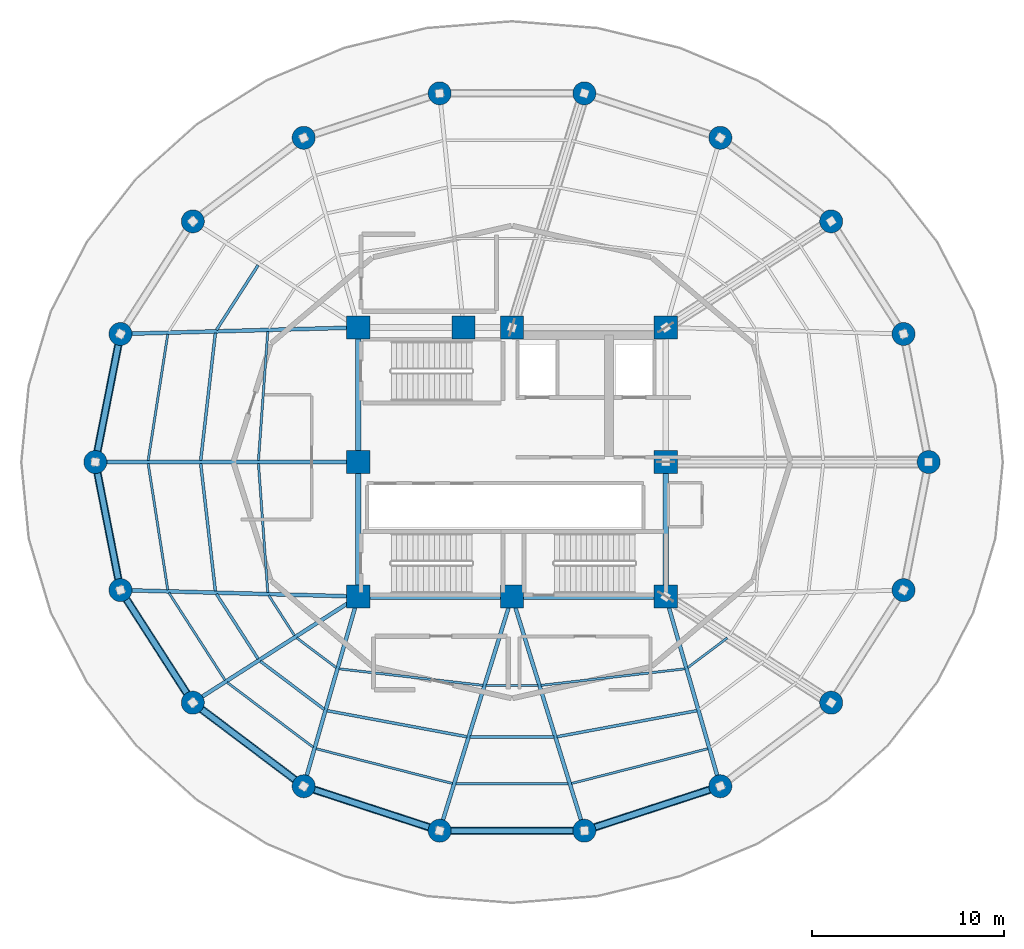
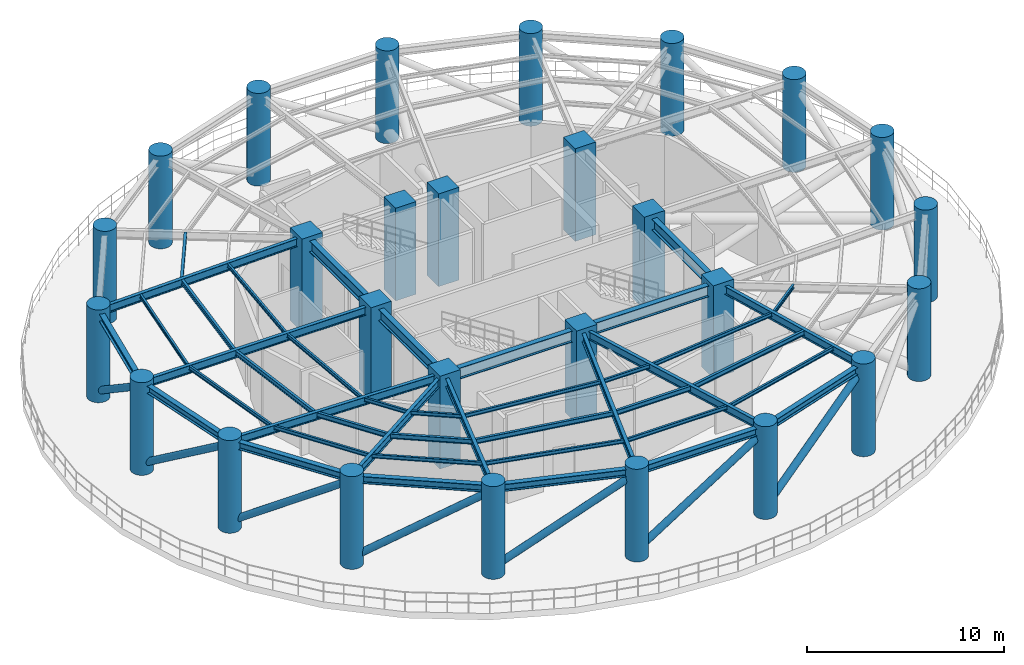
# One storey, part 1 of 7: 43 beams, 27 columns, 7 members.
"""IFC4 building model written with IfcOpenShell, lengths in metres."""

from ifc_helpers import new_model, si_unit, direction, frame, origin, origin_2d, place, context, subcontext, project, spatial, rectangle, circle, hollow_circle, i_section, extrude, material, material_profile, profile_set, type_object, element, save


model = new_model("IFC4")

# Units and contexts
model_context = context("Model", 3, precision=1e-05, world=origin(), true_north=direction((0.0, 1.0)))
body_context = subcontext(model_context, "Body", "Model", "MODEL_VIEW")
ifc_project = project(units=[si_unit("LENGTHUNIT", "METRE"), si_unit("AREAUNIT", "SQUARE_METRE"), si_unit("VOLUMEUNIT", "CUBIC_METRE"), si_unit("PLANEANGLEUNIT", "RADIAN"), si_unit("MASSUNIT", "GRAM", prefix="KILO")], contexts=[model_context])

# Site, building, storey
site_placement = place(None, origin())
site = spatial("IfcSite", under=ifc_project, at=site_placement, CompositionType="ELEMENT")
building_placement = place(site_placement, origin())
building = spatial("IfcBuilding", under=site, at=building_placement, Name="Kelanora Arch Commons", CompositionType="ELEMENT")
storey_placement = place(building_placement, frame((0.0, 0.0, 129.860107421875)))
storey = spatial("IfcBuildingStorey", under=building, at=storey_placement, Name="L33", CompositionType="ELEMENT", Elevation=129.860107421875)

# Columns
ifc_material_1 = material(Name="Concrete C50/60", Category="concrete")
ifc_material_profile_1 = material_profile(ifc_material_1, circle(Radius=0.60009765625, at=origin_2d()), Name="RCC1200")
ifc_profile_set_1 = profile_set([ifc_material_profile_1], Name="Concrete C50/60")
column_type_1 = type_object("IfcColumnType", Name="COL-PERIM-Z3", PredefinedType="COLUMN", material=ifc_profile_set_1)
for number, where, z_axis, x_axis, name in (
    (1, (95.679931640625, 58.0, 0.0), (0.0, 0.0, 1.0), (1.0, 0.0, 0.0), "Perimeter Ring Column CP-00 L33"),
    (2, (94.37255859375, 64.66259765625, 0.0), (0.0, 0.0, 1.0), (1.0, 0.0, 0.0), "Perimeter Ring Column CP-02 L33"),
    (3, (90.60791015625, 70.521484375, 0.0), (0.0, 0.0, 1.0), (1.0, 0.0, 0.0), "Perimeter Ring Column CP-04 L33"),
    (4, (84.840087890625, 74.8701171875, 0.0), (0.0, 0.0, 1.0), (1.0, 0.0, 0.0), "Perimeter Ring Column CP-06 L33"),
    (5, (77.7646484375, 77.18408203125, 0.0), (0.0, 0.0, 1.0), (1.0, 0.0, 0.0), "Perimeter Ring Column CP-08 L33"),
    (6, (70.2353515625, 77.18408203125, 0.0), (0.0, 0.0, 1.0), (1.0, 0.0, 0.0), "Perimeter Ring Column CP-10 L33"),
    (7, (63.159912109375, 74.8701171875, 0.0), (0.0, 0.0, 1.0), (1.0, 0.0, 0.0), "Perimeter Ring Column CP-12 L33"),
    (8, (57.39208984375, 70.521484375, 0.0), (0.0, 0.0, 1.0), (1.0, 0.0, 0.0), "Perimeter Ring Column CP-14 L33"),
    (9, (53.62744140625, 64.66259765625, 0.0), (0.0, 0.0, 1.0), (1.0, 0.0, 0.0), "Perimeter Ring Column CP-16 L33"),
    (10, (52.320068359375, 58.0, 0.0), (0.0, 0.0, 1.0), (1.0, 0.0, 0.0), "Perimeter Ring Column CP-18 L33"),
    (11, (53.62744140625, 51.33740234375, 0.0), (0.0, 0.0, 1.0), (1.0, 0.0, 0.0), "Perimeter Ring Column CP-20 L33"),
    (12, (57.39208984375, 45.478515625, 0.0), (0.0, 0.0, 1.0), (1.0, 0.0, 0.0), "Perimeter Ring Column CP-22 L33"),
    (13, (63.159912109375, 41.1298828125, 0.0), (0.0, 0.0, 1.0), (1.0, 0.0, 0.0), "Perimeter Ring Column CP-24 L33"),
    (14, (70.2353515625, 38.81591796875, 0.0), (0.0, 0.0, 1.0), (1.0, 0.0, 0.0), "Perimeter Ring Column CP-26 L33"),
    (15, (77.7646484375, 38.81591796875, 0.0), (0.0, 0.0, 1.0), (1.0, 0.0, 0.0), "Perimeter Ring Column CP-28 L33"),
    (16, (84.840087890625, 41.1298828125, 0.0), (0.0, 0.0, 1.0), (1.0, 0.0, 0.0), "Perimeter Ring Column CP-30 L33"),
    (17, (90.60791015625, 45.478515625, 0.0), (0.0, 0.0, 1.0), (1.0, 0.0, 0.0), "Perimeter Ring Column CP-32 L33"),
    (18, (94.37255859375, 51.33740234375, 0.0), (0.0, 0.0, 1.0), (1.0, 0.0, 0.0), "Perimeter Ring Column CP-34 L33"),
):
    element("IfcColumn", number, at=place(storey_placement, frame(where, z_axis=z_axis, x_axis=x_axis)), inside=storey, type_object=column_type_1, Name=name, PredefinedType="COLUMN", context=body_context, shape_type="SweptSolid", body=[
        extrude(circle(Radius=0.60009765625, at=origin_2d()), origin(), (0.0, 0.0, 1.0), 5.739990234375),
    ])
ifc_material_2 = material(Name="Concrete C60/75", Category="concrete")
ifc_material_profile_2 = material_profile(ifc_material_2, rectangle(XDim=1.199951171875, YDim=1.199951171875, at=origin_2d()), Name="RC1200x1200")
ifc_profile_set_2 = profile_set([ifc_material_profile_2], Name="Concrete C60/75")
column_type_2 = type_object("IfcColumnType", Name="COL-PIL-MID", PredefinedType="PILASTER", material=ifc_profile_set_2)
for number, where, z_axis, x_axis, name in (
    (19, (66.0, 51.0, 0.0), (0.0, 0.0, 1.0), (1.0, 0.0, 0.0), "Core Pilaster Column CP1 L33"),
    (20, (74.0, 51.0, 0.0), (0.0, 0.0, 1.0), (1.0, 0.0, 0.0), "Core Pilaster Column CP2 L33"),
    (21, (82.0, 51.0, 0.0), (0.0, 0.0, 1.0), (1.0, 0.0, 0.0), "Core Pilaster Column CP3 L33"),
    (22, (82.0, 58.0, 0.0), (0.0, 0.0, 1.0), (1.0, 0.0, 0.0), "Core Pilaster Column CP4 L33"),
    (23, (82.0, 65.0, 0.0), (0.0, 0.0, 1.0), (1.0, 0.0, 0.0), "Core Pilaster Column CP5 L33"),
    (24, (74.0, 65.0, 0.0), (0.0, 0.0, 1.0), (1.0, 0.0, 0.0), "Core Pilaster Column CP6 L33"),
    (25, (71.47998046875, 65.0, 0.0), (0.0, 0.0, 1.0), (1.0, 0.0, 0.0), "Core Pilaster Column CP9 L33"),
    (26, (66.0, 65.0, 0.0), (0.0, 0.0, 1.0), (1.0, 0.0, 0.0), "Core Pilaster Column CP7 L33"),
    (27, (66.0, 58.0, 0.0), (0.0, 0.0, 1.0), (1.0, 0.0, 0.0), "Core Pilaster Column CP8 L33"),
):
    element("IfcColumn", number, at=place(storey_placement, frame(where, z_axis=z_axis, x_axis=x_axis)), inside=storey, type_object=column_type_2, Name=name, PredefinedType="PILASTER", context=body_context, shape_type="SweptSolid", body=[
        extrude(rectangle(XDim=1.199951171875, YDim=1.199951171875, at=origin_2d()), origin(), (0.0, 0.0, 1.0), 5.739990234375),
    ])

# Beams
ifc_material_3 = material(Name="Steel S355", Category="steel")
ifc_material_profile_3 = material_profile(ifc_material_3, i_section(OverallWidth=0.300048828125, OverallDepth=0.699951171875, WebThickness=0.01708984375, FlangeThickness=0.031982421875, FilletRadius=0.027099609375, at=origin_2d()), Name="HEB700")
ifc_profile_set_3 = profile_set([ifc_material_profile_3], Name="Steel S355")
beam_type_1 = type_object("IfcBeamType", Name="BM-CORE-HDR", PredefinedType="BEAM", material=ifc_profile_set_3)
for number, where, z_axis, x_axis, name in (
    (28, (66.0, 51.0, 5.1298828125), (1.0, 0.0, 0.0), (0.0, 1.0, 0.0), "Core Header Beam 01 L33"),
    (29, (74.0, 51.0, 5.1298828125), (1.0, 0.0, 0.0), (0.0, 1.0, 0.0), "Core Header Beam 02 L33"),
):
    element("IfcBeam", number, at=place(storey_placement, frame(where, z_axis=z_axis, x_axis=x_axis)), inside=storey, type_object=beam_type_1, Name=name, PredefinedType="BEAM", context=body_context, shape_type="SweptSolid", body=[
        extrude(i_section(OverallWidth=0.300048828125, OverallDepth=0.699951171875, WebThickness=0.01708984375, FlangeThickness=0.031982421875, FilletRadius=0.027099609375, at=origin_2d()), origin(), (0.0, 0.0, 1.0), 8.0),
    ])
for number, where, z_axis, x_axis, name in (
    (30, (82.0, 51.0, 5.1298828125), (0.0, 1.0, 0.0), (-1.0, 0.0, 0.0), "Core Header Beam 03 L33"),
    (31, (66.0, 65.0, 5.1298828125), (0.0, -1.0, 0.0), (1.0, 0.0, 0.0), "Core Header Beam 08 L33"),
    (32, (66.0, 58.0, 5.1298828125), (0.0, -1.0, 0.0), (1.0, 0.0, 0.0), "Core Header Beam 09 L33"),
):
    element("IfcBeam", number, at=place(storey_placement, frame(where, z_axis=z_axis, x_axis=x_axis)), inside=storey, type_object=beam_type_1, Name=name, PredefinedType="BEAM", context=body_context, shape_type="SweptSolid", body=[
        extrude(i_section(OverallWidth=0.300048828125, OverallDepth=0.699951171875, WebThickness=0.01708984375, FlangeThickness=0.031982421875, FilletRadius=0.027099609375, at=origin_2d()), origin(), (0.0, 0.0, 1.0), 7.0),
    ])
ifc_material_profile_4 = material_profile(ifc_material_3, i_section(OverallWidth=0.14990234375, OverallDepth=0.300048828125, WebThickness=0.007080078125, FlangeThickness=0.0107421875, FilletRadius=0.014892578125, at=origin_2d()), Name="IPE300")
ifc_profile_set_4 = profile_set([ifc_material_profile_4], Name="Steel S355")
beam_type_2 = type_object("IfcBeamType", Name="BM-JST-01", PredefinedType="JOIST", material=ifc_profile_set_4)
beam_1_placement = place(storey_placement, frame((60.789306640625, 68.241455078125, 5.329833984375), z_axis=(-0.540594434398, -0.841283339606, 0.0), x_axis=(0.841283339606, -0.540594434398, 0.0)))
element("IfcBeam", 33, at=beam_1_placement, inside=storey, type_object=beam_type_2, Name="Secondary Chord Joist BJB-14 L33", PredefinedType="JOIST", context=body_context, shape_type="SweptSolid", body=[
    extrude(i_section(OverallWidth=0.14990234375, OverallDepth=0.300048828125, WebThickness=0.007080078125, FlangeThickness=0.0107421875, FilletRadius=0.014892578125, at=origin_2d()), origin(), (0.0, 0.0, 1.0), 4.008544921875),
])
for number, where, z_axis, x_axis, name in (
    (34, (58.56689453125, 64.713134765625, 5.329833984375), (-0.114667159005, -0.9934039675, 0.0), (0.9934039675, -0.114667159005, 0.0), "Secondary Chord Joist BJB-16 L33"),
    (35, (57.8017578125, 57.91552734375, 5.329833984375), (0.114667159005, -0.9934039675, 0.0), (0.9934039675, 0.114667159005, 0.0), "Secondary Chord Joist BJB-18 L33"),
):
    element("IfcBeam", number, at=place(storey_placement, frame(where, z_axis=z_axis, x_axis=x_axis)), inside=storey, type_object=beam_type_2, Name=name, PredefinedType="JOIST", context=body_context, shape_type="SweptSolid", body=[
        extrude(i_section(OverallWidth=0.14990234375, OverallDepth=0.300048828125, WebThickness=0.007080078125, FlangeThickness=0.0107421875, FilletRadius=0.014892578125, at=origin_2d()), origin(), (0.0, 0.0, 1.0), 6.672607421875),
    ])
beam_2_placement = place(storey_placement, frame((58.622314453125, 51.130859375, 5.329833984375), z_axis=(0.540594434398, -0.841283339606, 0.0), x_axis=(0.841283339606, 0.540594434398, 0.0)))
element("IfcBeam", 36, at=beam_2_placement, inside=storey, type_object=beam_type_2, Name="Secondary Chord Joist BJB-20 L33", PredefinedType="JOIST", context=body_context, shape_type="SweptSolid", body=[
    extrude(i_section(OverallWidth=0.14990234375, OverallDepth=0.300048828125, WebThickness=0.007080078125, FlangeThickness=0.0107421875, FilletRadius=0.014892578125, at=origin_2d()), origin(), (0.0, 0.0, 1.0), 4.008544921875),
])
beam_3_placement = place(storey_placement, frame((60.9033203125, 47.635986328125, 5.329833984375), z_axis=(0.798463547891, -0.602043156833, 0.0), x_axis=(0.602043156833, 0.798463547891, 0.0)))
element("IfcBeam", 37, at=beam_3_placement, inside=storey, type_object=beam_type_2, Name="Secondary Chord Joist BJB-22 L33", PredefinedType="JOIST", context=body_context, shape_type="SweptSolid", body=[
    extrude(i_section(OverallWidth=0.14990234375, OverallDepth=0.300048828125, WebThickness=0.007080078125, FlangeThickness=0.0107421875, FilletRadius=0.014892578125, at=origin_2d()), origin(), (0.0, 0.0, 1.0), 4.163818359375),
])
beam_4_placement = place(storey_placement, frame((64.379638671875, 45.062255859375, 5.329833984375), z_axis=(0.983054256126, -0.183314837134, 0.0), x_axis=(0.183314837134, 0.983054256126, 0.0)))
element("IfcBeam", 38, at=beam_4_placement, inside=storey, type_object=beam_type_2, Name="Secondary Chord Joist BJB-24 L33", PredefinedType="JOIST", context=body_context, shape_type="SweptSolid", body=[
    extrude(i_section(OverallWidth=0.14990234375, OverallDepth=0.300048828125, WebThickness=0.007080078125, FlangeThickness=0.0107421875, FilletRadius=0.014892578125, at=origin_2d()), origin(), (0.0, 0.0, 1.0), 7.403564453125),
])
beam_5_placement = place(storey_placement, frame((71.826171875, 43.689453125, 5.329833984375), z_axis=(1.0, 0.0, 0.0), x_axis=(0.0, 1.0, 0.0)))
element("IfcBeam", 39, at=beam_5_placement, inside=storey, type_object=beam_type_2, Name="Secondary Chord Joist BJB-26 L33", PredefinedType="JOIST", context=body_context, shape_type="SweptSolid", body=[
    extrude(i_section(OverallWidth=0.14990234375, OverallDepth=0.300048828125, WebThickness=0.007080078125, FlangeThickness=0.0107421875, FilletRadius=0.014892578125, at=origin_2d()), origin(), (0.0, 0.0, 1.0), 4.34765625),
])
beam_6_placement = place(storey_placement, frame((76.34228515625, 43.705078125, 5.329833984375), z_axis=(0.983054256126, 0.183314837134, 0.0), x_axis=(-0.183314837134, 0.983054256126, 0.0)))
element("IfcBeam", 40, at=beam_6_placement, inside=storey, type_object=beam_type_2, Name="Secondary Chord Joist BJB-28 L33", PredefinedType="JOIST", context=body_context, shape_type="SweptSolid", body=[
    extrude(i_section(OverallWidth=0.14990234375, OverallDepth=0.300048828125, WebThickness=0.007080078125, FlangeThickness=0.0107421875, FilletRadius=0.014892578125, at=origin_2d()), origin(), (0.0, 0.0, 1.0), 7.403564453125),
])
ifc_material_profile_5 = material_profile(ifc_material_3, i_section(OverallWidth=0.1201171875, OverallDepth=0.239990234375, WebThickness=0.006103515625, FlangeThickness=0.009765625, FilletRadius=0.014892578125, at=origin_2d()), Name="IPE240")
ifc_profile_set_5 = profile_set([ifc_material_profile_5], Name="Steel S355")
beam_type_3 = type_object("IfcBeamType", Name="BM-JST-02", PredefinedType="JOIST", material=ifc_profile_set_5)
beam_7_placement = place(storey_placement, frame((61.292236328125, 64.787109375, 5.35986328125), z_axis=(-0.072117123738, -0.997396170267, 0.0), x_axis=(0.997396170267, -0.072117123738, 0.0)))
element("IfcBeam", 41, at=beam_7_placement, inside=storey, type_object=beam_type_3, Name="Secondary Chord Joist BJA-16 L33", PredefinedType="JOIST", context=body_context, shape_type="SweptSolid", body=[
    extrude(i_section(OverallWidth=0.1201171875, OverallDepth=0.239990234375, WebThickness=0.006103515625, FlangeThickness=0.009765625, FilletRadius=0.014892578125, at=origin_2d()), origin(), (0.0, 0.0, 1.0), 6.719970703125),
])
beam_8_placement = place(storey_placement, frame((56.0888671875, 64.64599609375, 5.35986328125), z_axis=(-0.153562625853, -0.988138917329, 0.0), x_axis=(0.988138917329, -0.153562625853, 0.0)))
element("IfcBeam", 42, at=beam_8_placement, inside=storey, type_object=beam_type_3, Name="Secondary Chord Joist BJC-16 L33", PredefinedType="JOIST", context=body_context, shape_type="SweptSolid", body=[
    extrude(i_section(OverallWidth=0.1201171875, OverallDepth=0.239990234375, WebThickness=0.006103515625, FlangeThickness=0.009765625, FilletRadius=0.014892578125, at=origin_2d()), origin(), (0.0, 0.0, 1.0), 6.640869140625),
])
beam_9_placement = place(storey_placement, frame((60.8076171875, 57.915283203125, 5.35986328125), z_axis=(0.072117123738, -0.997396170267, 0.0), x_axis=(0.997396170267, 0.072117123738, 0.0)))
element("IfcBeam", 43, at=beam_9_placement, inside=storey, type_object=beam_type_3, Name="Secondary Chord Joist BJA-18 L33", PredefinedType="JOIST", context=body_context, shape_type="SweptSolid", body=[
    extrude(i_section(OverallWidth=0.1201171875, OverallDepth=0.239990234375, WebThickness=0.006103515625, FlangeThickness=0.009765625, FilletRadius=0.014892578125, at=origin_2d()), origin(), (0.0, 0.0, 1.0), 6.719970703125),
])
beam_10_placement = place(storey_placement, frame((55.069091796875, 57.916015625, 5.35986328125), z_axis=(0.153562625853, -0.988138917329, 0.0), x_axis=(0.988138917329, 0.153562625853, 0.0)))
element("IfcBeam", 44, at=beam_10_placement, inside=storey, type_object=beam_type_3, Name="Secondary Chord Joist BJC-18 L33", PredefinedType="JOIST", context=body_context, shape_type="SweptSolid", body=[
    extrude(i_section(OverallWidth=0.1201171875, OverallDepth=0.239990234375, WebThickness=0.006103515625, FlangeThickness=0.009765625, FilletRadius=0.014892578125, at=origin_2d()), origin(), (0.0, 0.0, 1.0), 6.640869140625),
])
beam_11_placement = place(storey_placement, frame((61.344482421875, 51.056640625, 5.35986328125), z_axis=(0.540583174025, -0.841290575224, 0.0), x_axis=(0.841290575224, 0.540583174025, 0.0)))
element("IfcBeam", 45, at=beam_11_placement, inside=storey, type_object=beam_type_3, Name="Secondary Chord Joist BJA-20 L33", PredefinedType="JOIST", context=body_context, shape_type="SweptSolid", body=[
    extrude(i_section(OverallWidth=0.1201171875, OverallDepth=0.239990234375, WebThickness=0.006103515625, FlangeThickness=0.009765625, FilletRadius=0.014892578125, at=origin_2d()), origin(), (0.0, 0.0, 1.0), 2.476318359375),
])
beam_12_placement = place(storey_placement, frame((56.14794921875, 51.198486328125, 5.35986328125), z_axis=(0.540581678156, -0.841291536414, 0.0), x_axis=(0.841291536414, 0.540581678156, 0.0)))
element("IfcBeam", 46, at=beam_12_placement, inside=storey, type_object=beam_type_3, Name="Secondary Chord Joist BJC-20 L33", PredefinedType="JOIST", context=body_context, shape_type="SweptSolid", body=[
    extrude(i_section(OverallWidth=0.1201171875, OverallDepth=0.239990234375, WebThickness=0.006103515625, FlangeThickness=0.009765625, FilletRadius=0.014892578125, at=origin_2d()), origin(), (0.0, 0.0, 1.0), 5.4013671875),
])
beam_13_placement = place(storey_placement, frame((62.796875, 48.8505859375, 5.35986328125), z_axis=(0.798484118859, -0.602015873487, 0.0), x_axis=(0.602015873487, 0.798484118859, 0.0)))
element("IfcBeam", 47, at=beam_13_placement, inside=storey, type_object=beam_type_3, Name="Secondary Chord Joist BJA-22 L33", PredefinedType="JOIST", context=body_context, shape_type="SweptSolid", body=[
    extrude(i_section(OverallWidth=0.1201171875, OverallDepth=0.239990234375, WebThickness=0.006103515625, FlangeThickness=0.009765625, FilletRadius=0.014892578125, at=origin_2d()), origin(), (0.0, 0.0, 1.0), 2.57470703125),
])
beam_14_placement = place(storey_placement, frame((59.181640625, 46.531494140625, 5.35986328125), z_axis=(0.798493128577, -0.602003923256, 0.0), x_axis=(0.602003923256, 0.798493128577, 0.0)))
element("IfcBeam", 48, at=beam_14_placement, inside=storey, type_object=beam_type_3, Name="Secondary Chord Joist BJC-22 L33", PredefinedType="JOIST", context=body_context, shape_type="SweptSolid", body=[
    extrude(i_section(OverallWidth=0.1201171875, OverallDepth=0.239990234375, WebThickness=0.006103515625, FlangeThickness=0.009765625, FilletRadius=0.014892578125, at=origin_2d()), origin(), (0.0, 0.0, 1.0), 5.608642578125),
])
beam_15_placement = place(storey_placement, frame((65.005126953125, 47.239501953125, 5.35986328125), z_axis=(0.993457414184, -0.114203179475, 0.0), x_axis=(0.114203179475, 0.993457414184, 0.0)))
element("IfcBeam", 49, at=beam_15_placement, inside=storey, type_object=beam_type_3, Name="Secondary Chord Joist BJA-24 L33", PredefinedType="JOIST", context=body_context, shape_type="SweptSolid", body=[
    extrude(i_section(OverallWidth=0.1201171875, OverallDepth=0.239990234375, WebThickness=0.006103515625, FlangeThickness=0.009765625, FilletRadius=0.014892578125, at=origin_2d()), origin(), (0.0, 0.0, 1.0), 7.529296875),
])
beam_16_placement = place(storey_placement, frame((63.810302734375, 43.082763671875, 5.35986328125), z_axis=(0.96900232943, -0.247051584815, 0.0), x_axis=(0.247051584815, 0.96900232943, 0.0)))
element("IfcBeam", 50, at=beam_16_placement, inside=storey, type_object=beam_type_3, Name="Secondary Chord Joist BJC-24 L33", PredefinedType="JOIST", context=body_context, shape_type="SweptSolid", body=[
    extrude(i_section(OverallWidth=0.1201171875, OverallDepth=0.239990234375, WebThickness=0.006103515625, FlangeThickness=0.009765625, FilletRadius=0.014892578125, at=origin_2d()), origin(), (0.0, 0.0, 1.0), 7.32275390625),
])
beam_17_placement = place(storey_placement, frame((72.654296875, 46.3701171875, 5.35986328125), z_axis=(1.0, 0.0, 0.0), x_axis=(0.0, 1.0, 0.0)))
element("IfcBeam", 51, at=beam_17_placement, inside=storey, type_object=beam_type_3, Name="Secondary Chord Joist BJA-26 L33", PredefinedType="JOIST", context=body_context, shape_type="SweptSolid", body=[
    extrude(i_section(OverallWidth=0.1201171875, OverallDepth=0.239990234375, WebThickness=0.006103515625, FlangeThickness=0.009765625, FilletRadius=0.014892578125, at=origin_2d()), origin(), (0.0, 0.0, 1.0), 2.69140625),
])
beam_18_placement = place(storey_placement, frame((71.0732421875, 41.252685546875, 5.35986328125), z_axis=(1.0, 0.0, 0.0), x_axis=(0.0, 1.0, 0.0)))
element("IfcBeam", 52, at=beam_18_placement, inside=storey, type_object=beam_type_3, Name="Secondary Chord Joist BJC-26 L33", PredefinedType="JOIST", context=body_context, shape_type="SweptSolid", body=[
    extrude(i_section(OverallWidth=0.1201171875, OverallDepth=0.239990234375, WebThickness=0.006103515625, FlangeThickness=0.009765625, FilletRadius=0.014892578125, at=origin_2d()), origin(), (0.0, 0.0, 1.0), 5.853515625),
])
beam_19_placement = place(storey_placement, frame((75.514892578125, 46.379638671875, 5.35986328125), z_axis=(0.993457414184, 0.114203179475, 0.0), x_axis=(-0.114203179475, 0.993457414184, 0.0)))
element("IfcBeam", 53, at=beam_19_placement, inside=storey, type_object=beam_type_3, Name="Secondary Chord Joist BJA-28 L33", PredefinedType="JOIST", context=body_context, shape_type="SweptSolid", body=[
    extrude(i_section(OverallWidth=0.1201171875, OverallDepth=0.239990234375, WebThickness=0.006103515625, FlangeThickness=0.009765625, FilletRadius=0.014892578125, at=origin_2d()), origin(), (0.0, 0.0, 1.0), 7.529296875),
])
beam_20_placement = place(storey_placement, frame((77.093994140625, 41.273681640625, 5.35986328125), z_axis=(0.96900232943, 0.247051584815, 0.0), x_axis=(-0.247051584815, 0.96900232943, 0.0)))
element("IfcBeam", 54, at=beam_20_placement, inside=storey, type_object=beam_type_3, Name="Secondary Chord Joist BJC-28 L33", PredefinedType="JOIST", context=body_context, shape_type="SweptSolid", body=[
    extrude(i_section(OverallWidth=0.1201171875, OverallDepth=0.239990234375, WebThickness=0.006103515625, FlangeThickness=0.009765625, FilletRadius=0.014892578125, at=origin_2d()), origin(), (0.0, 0.0, 1.0), 7.32275390625),
])
beam_21_placement = place(storey_placement, frame((83.147216796875, 47.300537109375, 5.35986328125), z_axis=(0.798484118859, 0.602015873487, 0.0), x_axis=(-0.602015873487, 0.798484118859, 0.0)))
element("IfcBeam", 55, at=beam_21_placement, inside=storey, type_object=beam_type_3, Name="Secondary Chord Joist BJA-30 L33", PredefinedType="JOIST", context=body_context, shape_type="SweptSolid", body=[
    extrude(i_section(OverallWidth=0.1201171875, OverallDepth=0.239990234375, WebThickness=0.006103515625, FlangeThickness=0.009765625, FilletRadius=0.014892578125, at=origin_2d()), origin(), (0.0, 0.0, 1.0), 2.57470703125),
])
ifc_material_profile_6 = material_profile(ifc_material_3, i_section(OverallWidth=0.199951171875, OverallDepth=0.5, WebThickness=0.01025390625, FlangeThickness=0.01611328125, FilletRadius=0.02099609375, at=origin_2d()), Name="IPE500")
ifc_profile_set_6 = profile_set([ifc_material_profile_6], Name="Steel S355")
beam_type_4 = type_object("IfcBeamType", Name="BM-RAD-Z3", PredefinedType="BEAM", material=ifc_profile_set_6)
beam_22_placement = place(storey_placement, frame((66.0, 65.0, 5.22998046875), z_axis=(-0.999628374924, -0.027260081577, 0.0), x_axis=(0.027260081577, -0.999628374924, 0.0)))
element("IfcBeam", 56, at=beam_22_placement, inside=storey, type_object=beam_type_4, Name="Radial Floor Girder BR-16 L33", PredefinedType="BEAM", context=body_context, shape_type="SweptSolid", body=[
    extrude(i_section(OverallWidth=0.199951171875, OverallDepth=0.5, WebThickness=0.01025390625, FlangeThickness=0.01611328125, FilletRadius=0.02099609375, at=origin_2d()), origin(), (0.0, 0.0, 1.0), 12.377197265625),
])
beam_23_placement = place(storey_placement, frame((66.0, 58.0, 5.22998046875), z_axis=(-1.0, 0.0, 0.0), x_axis=(0.0, -1.0, 0.0)))
element("IfcBeam", 57, at=beam_23_placement, inside=storey, type_object=beam_type_4, Name="Radial Floor Girder BR-18 L33", PredefinedType="BEAM", context=body_context, shape_type="SweptSolid", body=[
    extrude(i_section(OverallWidth=0.199951171875, OverallDepth=0.5, WebThickness=0.01025390625, FlangeThickness=0.01611328125, FilletRadius=0.02099609375, at=origin_2d()), origin(), (0.0, 0.0, 1.0), 13.679931640625),
])
beam_24_placement = place(storey_placement, frame((66.0, 51.0, 5.22998046875), z_axis=(-0.999628374924, 0.027260081577, 0.0), x_axis=(-0.027260081577, -0.999628374924, 0.0)))
element("IfcBeam", 58, at=beam_24_placement, inside=storey, type_object=beam_type_4, Name="Radial Floor Girder BR-20 L33", PredefinedType="BEAM", context=body_context, shape_type="SweptSolid", body=[
    extrude(i_section(OverallWidth=0.199951171875, OverallDepth=0.5, WebThickness=0.01025390625, FlangeThickness=0.01611328125, FilletRadius=0.02099609375, at=origin_2d()), origin(), (0.0, 0.0, 1.0), 12.377197265625),
])
beam_25_placement = place(storey_placement, frame((66.0, 51.0, 5.22998046875), z_axis=(-0.841719465748, -0.539915123868, 0.0), x_axis=(0.539915123868, -0.841719465748, 0.0)))
element("IfcBeam", 59, at=beam_25_placement, inside=storey, type_object=beam_type_4, Name="Radial Floor Girder BR-22 L33", PredefinedType="BEAM", context=body_context, shape_type="SweptSolid", body=[
    extrude(i_section(OverallWidth=0.199951171875, OverallDepth=0.5, WebThickness=0.01025390625, FlangeThickness=0.01611328125, FilletRadius=0.02099609375, at=origin_2d()), origin(), (0.0, 0.0, 1.0), 10.2265625),
])
beam_26_placement = place(storey_placement, frame((66.0, 51.0, 5.22998046875), z_axis=(-0.276525880065, -0.961006471182, 0.0), x_axis=(0.961006471182, -0.276525880065, 0.0)))
element("IfcBeam", 60, at=beam_26_placement, inside=storey, type_object=beam_type_4, Name="Radial Floor Girder BR-24 L33", PredefinedType="BEAM", context=body_context, shape_type="SweptSolid", body=[
    extrude(i_section(OverallWidth=0.199951171875, OverallDepth=0.5, WebThickness=0.01025390625, FlangeThickness=0.01611328125, FilletRadius=0.02099609375, at=origin_2d()), origin(), (0.0, 0.0, 1.0), 10.2705078125),
])
for number, where, z_axis, x_axis, name in (
    (61, (74.0, 51.0, 5.22998046875), (-0.295210315095, -0.955432294755, 0.0), (0.955432294755, -0.295210315095, 0.0), "Radial Floor Girder BR-26 L33"),
    (62, (74.0, 51.0, 5.22998046875), (0.295210315095, -0.955432294755, 0.0), (0.955432294755, 0.295210315095, 0.0), "Radial Floor Girder BR-28 L33"),
):
    element("IfcBeam", number, at=place(storey_placement, frame(where, z_axis=z_axis, x_axis=x_axis)), inside=storey, type_object=beam_type_4, Name=name, PredefinedType="BEAM", context=body_context, shape_type="SweptSolid", body=[
        extrude(i_section(OverallWidth=0.199951171875, OverallDepth=0.5, WebThickness=0.01025390625, FlangeThickness=0.01611328125, FilletRadius=0.02099609375, at=origin_2d()), origin(), (0.0, 0.0, 1.0), 12.75244140625),
    ])
beam_27_placement = place(storey_placement, frame((82.0, 51.0, 5.22998046875), z_axis=(0.276525880065, -0.961006471182, 0.0), x_axis=(0.961006471182, 0.276525880065, 0.0)))
element("IfcBeam", 63, at=beam_27_placement, inside=storey, type_object=beam_type_4, Name="Radial Floor Girder BR-30 L33", PredefinedType="BEAM", context=body_context, shape_type="SweptSolid", body=[
    extrude(i_section(OverallWidth=0.199951171875, OverallDepth=0.5, WebThickness=0.01025390625, FlangeThickness=0.01611328125, FilletRadius=0.02099609375, at=origin_2d()), origin(), (0.0, 0.0, 1.0), 10.2705078125),
])
ifc_material_profile_7 = material_profile(ifc_material_3, i_section(OverallWidth=0.300048828125, OverallDepth=0.449951171875, WebThickness=0.013916015625, FlangeThickness=0.02587890625, FilletRadius=0.027099609375, at=origin_2d()), Name="HEB450")
ifc_profile_set_7 = profile_set([ifc_material_profile_7], Name="Steel S355")
beam_type_5 = type_object("IfcBeamType", Name="BM-SPN-Z3", PredefinedType="SPANDREL", material=ifc_profile_set_7)
for number, where, z_axis, x_axis, name in (
    (64, (53.62744140625, 64.66259765625, 5.2548828125), (-0.192553643556, -0.981286448675, 0.0), (0.981286448675, -0.192553643556, 0.0), "Perimeter Spandrel Beam BS-16 L33"),
    (65, (52.320068359375, 58.0, 5.2548828125), (0.192553643556, -0.981286448675, 0.0), (0.981286448675, 0.192553643556, 0.0), "Perimeter Spandrel Beam BS-18 L33"),
):
    element("IfcBeam", number, at=place(storey_placement, frame(where, z_axis=z_axis, x_axis=x_axis)), inside=storey, type_object=beam_type_5, Name=name, PredefinedType="SPANDREL", context=body_context, shape_type="SweptSolid", body=[
        extrude(i_section(OverallWidth=0.300048828125, OverallDepth=0.449951171875, WebThickness=0.013916015625, FlangeThickness=0.02587890625, FilletRadius=0.027099609375, at=origin_2d()), origin(), (0.0, 0.0, 1.0), 6.78955078125),
    ])
beam_28_placement = place(storey_placement, frame((53.62744140625, 51.33740234375, 5.2548828125), z_axis=(0.540576852469, -0.841294637196, 0.0), x_axis=(0.841294637196, 0.540576852469, 0.0)))
element("IfcBeam", 66, at=beam_28_placement, inside=storey, type_object=beam_type_5, Name="Perimeter Spandrel Beam BS-20 L33", PredefinedType="SPANDREL", context=body_context, shape_type="SweptSolid", body=[
    extrude(i_section(OverallWidth=0.300048828125, OverallDepth=0.449951171875, WebThickness=0.013916015625, FlangeThickness=0.02587890625, FilletRadius=0.027099609375, at=origin_2d()), origin(), (0.0, 0.0, 1.0), 6.964111328125),
])
beam_29_placement = place(storey_placement, frame((57.39208984375, 45.478515625, 5.2548828125), z_axis=(0.798484645564, -0.60201517489, 0.0), x_axis=(0.60201517489, 0.798484645564, 0.0)))
element("IfcBeam", 67, at=beam_29_placement, inside=storey, type_object=beam_type_5, Name="Perimeter Spandrel Beam BS-22 L33", PredefinedType="SPANDREL", context=body_context, shape_type="SweptSolid", body=[
    extrude(i_section(OverallWidth=0.300048828125, OverallDepth=0.449951171875, WebThickness=0.013916015625, FlangeThickness=0.02587890625, FilletRadius=0.027099609375, at=origin_2d()), origin(), (0.0, 0.0, 1.0), 7.223388671875),
])
beam_30_placement = place(storey_placement, frame((63.159912109375, 41.1298828125, 5.2548828125), z_axis=(0.950461975786, -0.310840847676, 0.0), x_axis=(0.310840847676, 0.950461975786, 0.0)))
element("IfcBeam", 68, at=beam_30_placement, inside=storey, type_object=beam_type_5, Name="Perimeter Spandrel Beam BS-24 L33", PredefinedType="SPANDREL", context=body_context, shape_type="SweptSolid", body=[
    extrude(i_section(OverallWidth=0.300048828125, OverallDepth=0.449951171875, WebThickness=0.013916015625, FlangeThickness=0.02587890625, FilletRadius=0.027099609375, at=origin_2d()), origin(), (0.0, 0.0, 1.0), 7.444091796875),
])
beam_31_placement = place(storey_placement, frame((70.2353515625, 38.81591796875, 5.2548828125), z_axis=(1.0, 0.0, 0.0), x_axis=(0.0, 1.0, 0.0)))
element("IfcBeam", 69, at=beam_31_placement, inside=storey, type_object=beam_type_5, Name="Perimeter Spandrel Beam BS-26 L33", PredefinedType="SPANDREL", context=body_context, shape_type="SweptSolid", body=[
    extrude(i_section(OverallWidth=0.300048828125, OverallDepth=0.449951171875, WebThickness=0.013916015625, FlangeThickness=0.02587890625, FilletRadius=0.027099609375, at=origin_2d()), origin(), (0.0, 0.0, 1.0), 7.529296875),
])
beam_32_placement = place(storey_placement, frame((77.7646484375, 38.81591796875, 5.2548828125), z_axis=(0.950461975786, 0.310840847676, 0.0), x_axis=(-0.310840847676, 0.950461975786, 0.0)))
element("IfcBeam", 70, at=beam_32_placement, inside=storey, type_object=beam_type_5, Name="Perimeter Spandrel Beam BS-28 L33", PredefinedType="SPANDREL", context=body_context, shape_type="SweptSolid", body=[
    extrude(i_section(OverallWidth=0.300048828125, OverallDepth=0.449951171875, WebThickness=0.013916015625, FlangeThickness=0.02587890625, FilletRadius=0.027099609375, at=origin_2d()), origin(), (0.0, 0.0, 1.0), 7.444091796875),
])

# Members
ifc_material_profile_8 = material_profile(ifc_material_3, hollow_circle(Radius=0.203125, WallThickness=0.02001953125, at=origin_2d()), Name="CHS406.4x20")
ifc_profile_set_8 = profile_set([ifc_material_profile_8], Name="Steel S355")
member_type = type_object("IfcMemberType", Name="MEM-BELT-DIAG", PredefinedType="BRACE", material=ifc_profile_set_8)
for number, where, z_axis, x_axis, name in (
    (71, (53.62744140625, 64.66259765625, 0.349853515625), (-0.157448431417, -0.802384256465, 0.575664395652), (0.981286448675, -0.192553643556, 0.0), "Belt Truss Diagonal MB-16 L33"),
    (72, (52.320068359375, 58.0, 0.349853515625), (0.157448431417, -0.802384256465, 0.575664395652), (0.981286448675, 0.192553643556, 0.0), "Belt Truss Diagonal MB-18 L33"),
):
    element("IfcMember", number, at=place(storey_placement, frame(where, z_axis=z_axis, x_axis=x_axis)), inside=storey, type_object=member_type, Name=name, PredefinedType="BRACE", context=body_context, shape_type="SweptSolid", body=[
        extrude(hollow_circle(Radius=0.203125, WallThickness=0.02001953125, at=origin_2d()), origin(), (0.0, 0.0, 1.0), 8.303466796875),
    ])
member_1_placement = place(storey_placement, frame((53.62744140625, 51.33740234375, 0.349853515625), z_axis=(0.445691239376, -0.693625055937, 0.565900698816), x_axis=(0.841294637196, 0.540576852469, 0.0)))
element("IfcMember", 73, at=member_1_placement, inside=storey, type_object=member_type, Name="Belt Truss Diagonal MB-20 L33", PredefinedType="BRACE", context=body_context, shape_type="SweptSolid", body=[
    extrude(hollow_circle(Radius=0.203125, WallThickness=0.02001953125, at=origin_2d()), origin(), (0.0, 0.0, 1.0), 8.44677734375),
])
member_2_placement = place(storey_placement, frame((57.39208984375, 45.478515625, 0.349853515625), z_axis=(0.6658906268, -0.502046300299, 0.551850691307), x_axis=(0.60201517489, 0.798484645564, 0.0)))
element("IfcMember", 74, at=member_2_placement, inside=storey, type_object=member_type, Name="Belt Truss Diagonal MB-22 L33", PredefinedType="BRACE", context=body_context, shape_type="SweptSolid", body=[
    extrude(hollow_circle(Radius=0.203125, WallThickness=0.02001953125, at=origin_2d()), origin(), (0.0, 0.0, 1.0), 8.661865234375),
])
member_3_placement = place(storey_placement, frame((63.159912109375, 41.1298828125, 0.349853515625), z_axis=(0.799778534693, -0.261561055582, 0.540314824567), x_axis=(0.310840847676, 0.950461975786, 0.0)))
element("IfcMember", 75, at=member_3_placement, inside=storey, type_object=member_type, Name="Belt Truss Diagonal MB-24 L33", PredefinedType="BRACE", context=body_context, shape_type="SweptSolid", body=[
    extrude(hollow_circle(Radius=0.203125, WallThickness=0.02001953125, at=origin_2d()), origin(), (0.0, 0.0, 1.0), 8.8466796875),
])
member_4_placement = place(storey_placement, frame((70.2353515625, 38.81591796875, 0.349853515625), z_axis=(0.844236998932, 0.0, 0.535970045463), x_axis=(0.0, 1.0, 0.0)))
element("IfcMember", 76, at=member_4_placement, inside=storey, type_object=member_type, Name="Belt Truss Diagonal MB-26 L33", PredefinedType="BRACE", context=body_context, shape_type="SweptSolid", body=[
    extrude(hollow_circle(Radius=0.203125, WallThickness=0.02001953125, at=origin_2d()), origin(), (0.0, 0.0, 1.0), 8.91845703125),
])
member_5_placement = place(storey_placement, frame((77.7646484375, 38.81591796875, 0.349853515625), z_axis=(0.799778534693, 0.261561055582, 0.540314824567), x_axis=(-0.310840847676, 0.950461975786, 0.0)))
element("IfcMember", 77, at=member_5_placement, inside=storey, type_object=member_type, Name="Belt Truss Diagonal MB-28 L33", PredefinedType="BRACE", context=body_context, shape_type="SweptSolid", body=[
    extrude(hollow_circle(Radius=0.203125, WallThickness=0.02001953125, at=origin_2d()), origin(), (0.0, 0.0, 1.0), 8.8466796875),
])

save(model, "model.ifc")
